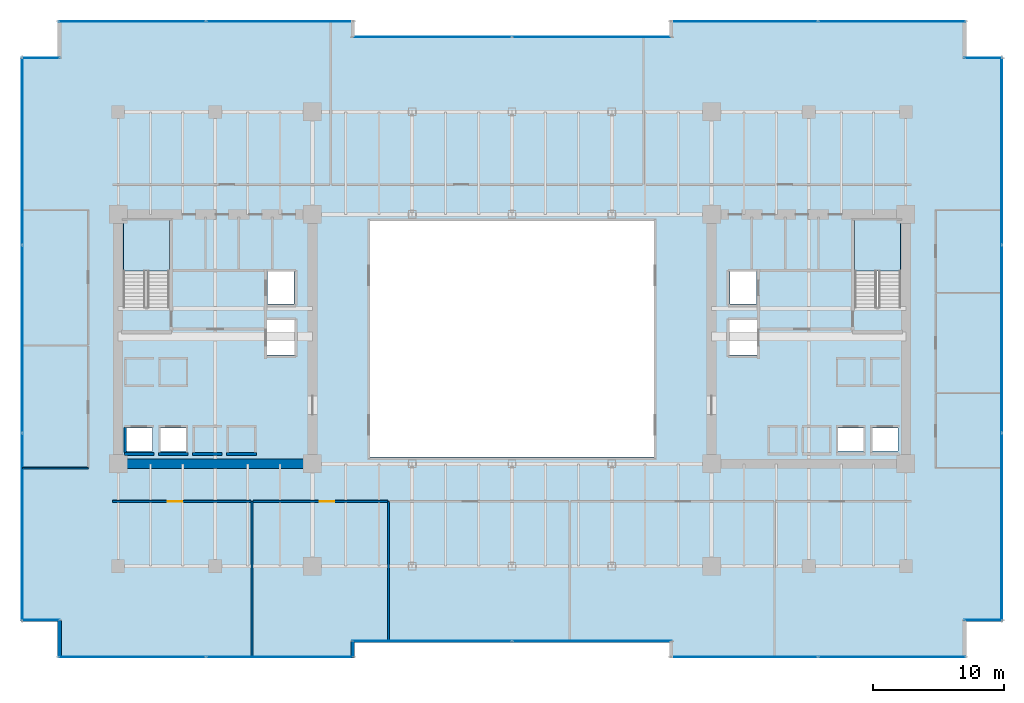
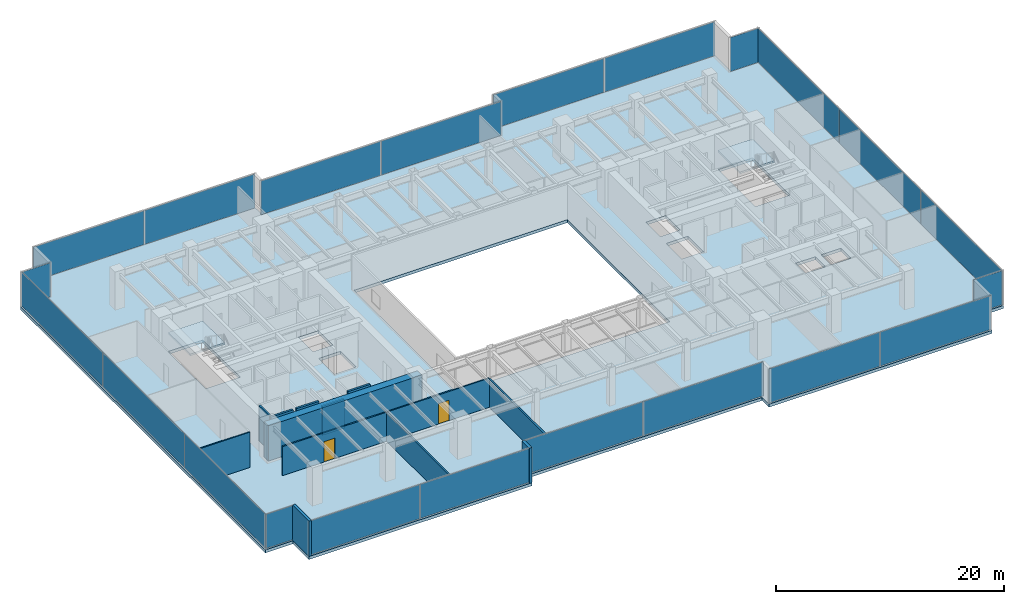
# One storey, part 28 of 35: 22 plates, 13 walls, 3 slabs, 2 doors, 2 openings, 14 elements without a shape of their own.
"""IFC4 building model written with IfcOpenShell, lengths in metres."""

from ifc_helpers import new_model, si_unit, direction, frame, frame_2d, origin, origin_2d, place, context, subcontext, project, spatial, polyline, rectangle, outline, extrude, source, transform, mapped, material, layer, layer_set, type_object, type_shapes, element, fill, aggregate, save


model = new_model("IFC4")

# Units and contexts
model_context = context("Model", 3, precision=1e-05, world=origin(), true_north=direction((0.0, 1.0)))
body_context = subcontext(model_context, "Body", "Model", "MODEL_VIEW")
ifc_project = project(units=[si_unit("LENGTHUNIT", "METRE"), si_unit("AREAUNIT", "SQUARE_METRE"), si_unit("VOLUMEUNIT", "CUBIC_METRE"), si_unit("PLANEANGLEUNIT", "RADIAN"), si_unit("MASSUNIT", "GRAM", prefix="KILO")], contexts=[model_context])

# Site, building, storey
site_placement = place(None, origin())
site = spatial("IfcSite", under=ifc_project, at=site_placement, CompositionType="ELEMENT")
building_placement = place(site_placement, origin())
building = spatial("IfcBuilding", under=site, at=building_placement, Name="Haelvirn Gate Laboratories", CompositionType="ELEMENT")
storey_placement = place(building_placement, frame((0.0, 0.0, 82.60009765625)))
storey = spatial("IfcBuildingStorey", under=building, at=storey_placement, Name="L20", CompositionType="ELEMENT", Elevation=82.60009765625)

# Stair, slab
ifc_material_1 = material(Name="Concrete C40/50", Category="concrete")
stair_type = type_object("IfcStairType", Name="ST-DOG-1650-R22", PredefinedType="HALF_TURN_STAIR", material=ifc_material_1)
stair_1_placement = place(storey_placement, origin())
stair_1 = element("IfcStair", 1, at=stair_1_placement, inside=storey, type_object=stair_type, Name="L20 Escape Stair ST1", PredefinedType="HALF_TURN_STAIR")
ifc_layer_1 = layer(ifc_material_1, 0.199951171875, Name="SL-STAIR-LND")
ifc_layer_set_1 = layer_set([ifc_layer_1], Name="Concrete C40/50")
slab_type_1 = type_object("IfcSlabType", Name="SL-STAIR-LND", PredefinedType="LANDING", material=ifc_layer_set_1)
slab_1_placement = place(storey_placement, frame((0.0, 0.0, 1.849853515625)))
slab_1 = element("IfcSlab", 2, at=slab_1_placement, type_object=slab_type_1, Name="ST1 landing 1", PredefinedType="LANDING", context=body_context, shape_type="SweptSolid", body=[
    extrude(outline(polyline([(11.300048828125, 29.5), (11.300048828125, 33.35009765625), (7.800048828125, 33.35009765625), (7.800048828125, 29.5), (11.300048828125, 29.5)])), origin(), (0.0, 0.0, 1.0), 0.199951171875),
])
aggregate(stair_1, [slab_1])

stair_2_placement = place(storey_placement, origin())
stair_2 = element("IfcStair", 3, at=stair_2_placement, inside=storey, type_object=stair_type, Name="L20 Escape Stair ST2", PredefinedType="HALF_TURN_STAIR")
slab_2_placement = place(storey_placement, frame((0.0, 0.0, 1.849853515625)))
slab_2 = element("IfcSlab", 4, at=slab_2_placement, type_object=slab_type_1, Name="ST2 landing 1", PredefinedType="LANDING", context=body_context, shape_type="SweptSolid", body=[
    extrude(outline(polyline([(67.0, 29.5), (67.0, 33.35009765625), (63.5, 33.35009765625), (63.5, 29.5), (67.0, 29.5)])), origin(), (0.0, 0.0, 1.0), 0.199951171875),
])
aggregate(stair_2, [slab_2])

# Slab
ifc_material_2 = material(Name="Concrete C50/60", Category="concrete")
ifc_layer_2 = layer(ifc_material_2, 0.320068359375, Name="SL-Z1-320")
ifc_layer_set_2 = layer_set([ifc_layer_2], Name="Concrete C50/60")
slab_type_2 = type_object("IfcSlabType", Name="SL-Z1-320", PredefinedType="FLOOR", material=ifc_layer_set_2)
slab_3_placement = place(storey_placement, frame((0.0, 0.0, -0.320068359375)))
element("IfcSlab", 5, at=slab_3_placement, inside=storey, type_object=slab_type_2, Name="L20 Structural Slab MAIN", PredefinedType="FLOOR", context=body_context, shape_type="SweptSolid", body=[
    extrude(outline(polyline([(2.800048828125, 0.0), (25.39990234375, 0.0), (25.39990234375, 1.199951171875), (49.39990234375, 1.199951171875), (49.39990234375, 0.0), (72.0, 0.0), (72.0, 2.800048828125), (74.800048828125, 2.800048828125), (74.800048828125, 45.800048828125), (72.0, 45.800048828125), (72.0, 48.60009765625), (49.39990234375, 48.60009765625), (49.39990234375, 47.39990234375), (25.39990234375, 47.39990234375), (25.39990234375, 48.60009765625), (2.800048828125, 48.60009765625), (2.800048828125, 45.800048828125), (0.0, 45.800048828125), (0.0, 2.800048828125), (2.800048828125, 2.800048828125), (2.800048828125, 0.0)]), holes=[polyline([(26.60009765625, 15.300048828125), (48.199951171875, 15.300048828125), (48.199951171875, 33.300048828125), (26.60009765625, 33.300048828125), (26.60009765625, 15.300048828125)]), polyline([(11.300048828125, 26.780029296875), (11.300048828125, 33.35009765625), (7.800048828125, 33.35009765625), (7.800048828125, 26.780029296875), (11.300048828125, 26.780029296875)]), polyline([(67.0, 26.780029296875), (67.0, 33.35009765625), (63.5, 33.35009765625), (63.5, 26.780029296875), (67.0, 26.780029296875)]), polyline([(7.989990234375, 15.77001953125), (10.010009765625, 15.77001953125), (10.010009765625, 17.510009765625), (7.989990234375, 17.510009765625), (7.989990234375, 15.77001953125)]), polyline([(10.590087890625, 15.77001953125), (12.610107421875, 15.77001953125), (12.610107421875, 17.510009765625), (10.590087890625, 17.510009765625), (10.590087890625, 15.77001953125)]), polyline([(18.7900390625, 26.969970703125), (20.81005859375, 26.969970703125), (20.81005859375, 29.510009765625), (18.7900390625, 29.510009765625), (18.7900390625, 26.969970703125)]), polyline([(18.68994140625, 23.070068359375), (20.909912109375, 23.070068359375), (20.909912109375, 25.81005859375), (18.68994140625, 25.81005859375), (18.68994140625, 23.070068359375)]), polyline([(64.7900390625, 15.77001953125), (66.81005859375, 15.77001953125), (66.81005859375, 17.510009765625), (64.7900390625, 17.510009765625), (64.7900390625, 15.77001953125)]), polyline([(62.18994140625, 15.77001953125), (64.2099609375, 15.77001953125), (64.2099609375, 17.510009765625), (62.18994140625, 17.510009765625), (62.18994140625, 15.77001953125)]), polyline([(53.989990234375, 26.969970703125), (56.010009765625, 26.969970703125), (56.010009765625, 29.510009765625), (53.989990234375, 29.510009765625), (53.989990234375, 26.969970703125)]), polyline([(53.889892578125, 23.070068359375), (56.110107421875, 23.070068359375), (56.110107421875, 25.81005859375), (53.889892578125, 25.81005859375), (53.889892578125, 23.070068359375)])]), origin(), (0.0, 0.0, 1.0), 0.320068359375),
])

# Curtain wall, plates
ifc_material_3 = material(Name="Anodised bronze unitised aluminium & triple low-E glass", Category="aluminium")
ifc_layer_3 = layer(ifc_material_3, 0.18408203125, Name="CW-SYS-2")
ifc_layer_set_3 = layer_set([ifc_layer_3], Name="Anodised bronze unitised aluminium & triple low-E glass")
curtain_wall_type_1 = type_object("IfcCurtainWallType", Name="CW-SYS-2", PredefinedType="NOTDEFINED", material=ifc_layer_set_3)
curtain_wall_1_placement = place(storey_placement, origin())
curtain_wall_1 = element("IfcCurtainWall", 6, at=curtain_wall_1_placement, inside=storey, type_object=curtain_wall_type_1, Name="L20 Unitised Curtain Wall CW-L20-P0-E02-1", PredefinedType="NOTDEFINED")
ifc_material_4 = material(Name="Bronze solar-control triple low-E IGU 44 mm", Category="glass")
ifc_layer_4 = layer(ifc_material_4, 0.0439453125, Name="CWP-IGU-44")
ifc_layer_set_4 = layer_set([ifc_layer_4], Name="Bronze solar-control triple low-E IGU 44 mm")
plate_type_1 = type_object("IfcPlateType", Name="CWP-IGU-44", PredefinedType="CURTAIN_PANEL", material=ifc_layer_set_4)
shared_shape_1 = source(origin(), body_context, "Body", "SweptSolid", [
    extrude(rectangle(XDim=12.12744140625, YDim=0.0439453125, at=origin_2d()), origin(), (0.0, 0.0, 1.0), 3.639892578125),
])
plate_1_placement = place(storey_placement, frame((31.298828125, 1.300048828125, 0.06982421875), z_axis=(0.0, 0.0, 1.0), x_axis=(1.0, 0.0, 0.0)))
plate_1 = element("IfcPlate", 7, at=plate_1_placement, type_object=plate_type_1, Name="CW2 panel 1.1", PredefinedType="CURTAIN_PANEL", context=body_context, shape_type="MappedRepresentation", body=[
    mapped(shared_shape_1, transform((0.0, 0.0, 0.0), scale=1.0)),
])
plate_2_placement = place(storey_placement, frame((43.501220703125, 1.300048828125, 0.06982421875), z_axis=(0.0, 0.0, 1.0), x_axis=(1.0, 0.0, 0.0)))
plate_2 = element("IfcPlate", 8, at=plate_2_placement, type_object=plate_type_1, Name="CW2 panel 2.1", PredefinedType="CURTAIN_PANEL", context=body_context, shape_type="MappedRepresentation", body=[
    mapped(shared_shape_1, transform((0.0, 0.0, 0.0), scale=1.0)),
])
aggregate(curtain_wall_1, [plate_1, plate_2])

curtain_wall_2_placement = place(storey_placement, origin())
curtain_wall_2 = element("IfcCurtainWall", 9, at=curtain_wall_2_placement, inside=storey, type_object=curtain_wall_type_1, Name="L20 Unitised Curtain Wall CW-L20-P0-E12-1", PredefinedType="NOTDEFINED")
plate_3_placement = place(storey_placement, frame((31.298828125, 47.300048828125, 0.06982421875), z_axis=(0.0, 0.0, 1.0), x_axis=(1.0, 0.0, 0.0)))
plate_3 = element("IfcPlate", 10, at=plate_3_placement, type_object=plate_type_1, Name="CW2 panel 1.1", PredefinedType="CURTAIN_PANEL", context=body_context, shape_type="MappedRepresentation", body=[
    mapped(shared_shape_1, transform((0.0, 0.0, 0.0), scale=1.0)),
])
plate_4_placement = place(storey_placement, frame((43.501220703125, 47.300048828125, 0.06982421875), z_axis=(0.0, 0.0, 1.0), x_axis=(1.0, 0.0, 0.0)))
plate_4 = element("IfcPlate", 11, at=plate_4_placement, type_object=plate_type_1, Name="CW2 panel 2.1", PredefinedType="CURTAIN_PANEL", context=body_context, shape_type="MappedRepresentation", body=[
    mapped(shared_shape_1, transform((0.0, 0.0, 0.0), scale=1.0)),
])
aggregate(curtain_wall_2, [plate_3, plate_4])

curtain_wall_3_placement = place(storey_placement, origin())
curtain_wall_3 = element("IfcCurtainWall", 12, at=curtain_wall_3_placement, inside=storey, type_object=curtain_wall_type_1, Name="L20 Unitised Curtain Wall CW-L20-P0-E00-1", PredefinedType="NOTDEFINED")
shared_shape_2 = source(origin(), body_context, "Body", "SweptSolid", [
    extrude(rectangle(XDim=11.1875, YDim=0.0439453125, at=origin_2d()), origin(), (0.0, 0.0, 1.0), 3.639892578125),
])
plate_5_placement = place(storey_placement, frame((8.46875, 0.10009765625, 0.06982421875), z_axis=(0.0, 0.0, 1.0), x_axis=(1.0, 0.0, 0.0)))
plate_5 = element("IfcPlate", 13, at=plate_5_placement, type_object=plate_type_1, Name="CW2 panel 1.1", PredefinedType="CURTAIN_PANEL", context=body_context, shape_type="MappedRepresentation", body=[
    mapped(shared_shape_2, transform((0.0, 0.0, 0.0), scale=1.0)),
])
plate_6_placement = place(storey_placement, frame((19.731201171875, 0.10009765625, 0.06982421875), z_axis=(0.0, 0.0, 1.0), x_axis=(1.0, 0.0, 0.0)))
plate_6 = element("IfcPlate", 14, at=plate_6_placement, type_object=plate_type_1, Name="CW2 panel 2.1", PredefinedType="CURTAIN_PANEL", context=body_context, shape_type="MappedRepresentation", body=[
    mapped(shared_shape_2, transform((0.0, 0.0, 0.0), scale=1.0)),
])
aggregate(curtain_wall_3, [plate_5, plate_6])

curtain_wall_4_placement = place(storey_placement, origin())
curtain_wall_4 = element("IfcCurtainWall", 15, at=curtain_wall_4_placement, inside=storey, type_object=curtain_wall_type_1, Name="L20 Unitised Curtain Wall CW-L20-P0-E04-1", PredefinedType="NOTDEFINED")
plate_7_placement = place(storey_placement, frame((55.06884765625, 0.10009765625, 0.06982421875), z_axis=(0.0, 0.0, 1.0), x_axis=(1.0, 0.0, 0.0)))
plate_7 = element("IfcPlate", 16, at=plate_7_placement, type_object=plate_type_1, Name="CW2 panel 1.1", PredefinedType="CURTAIN_PANEL", context=body_context, shape_type="MappedRepresentation", body=[
    mapped(shared_shape_2, transform((0.0, 0.0, 0.0), scale=1.0)),
])
plate_8_placement = place(storey_placement, frame((66.331298828125, 0.10009765625, 0.06982421875), z_axis=(0.0, 0.0, 1.0), x_axis=(1.0, 0.0, 0.0)))
plate_8 = element("IfcPlate", 17, at=plate_8_placement, type_object=plate_type_1, Name="CW2 panel 2.1", PredefinedType="CURTAIN_PANEL", context=body_context, shape_type="MappedRepresentation", body=[
    mapped(shared_shape_2, transform((0.0, 0.0, 0.0), scale=1.0)),
])
aggregate(curtain_wall_4, [plate_7, plate_8])

curtain_wall_5_placement = place(storey_placement, origin())
curtain_wall_5 = element("IfcCurtainWall", 18, at=curtain_wall_5_placement, inside=storey, type_object=curtain_wall_type_1, Name="L20 Unitised Curtain Wall CW-L20-P0-E10-1", PredefinedType="NOTDEFINED")
plate_9_placement = place(storey_placement, frame((55.06884765625, 48.5, 0.06982421875), z_axis=(0.0, 0.0, 1.0), x_axis=(1.0, 0.0, 0.0)))
plate_9 = element("IfcPlate", 19, at=plate_9_placement, type_object=plate_type_1, Name="CW2 panel 1.1", PredefinedType="CURTAIN_PANEL", context=body_context, shape_type="MappedRepresentation", body=[
    mapped(shared_shape_2, transform((0.0, 0.0, 0.0), scale=1.0)),
])
plate_10_placement = place(storey_placement, frame((66.331298828125, 48.5, 0.06982421875), z_axis=(0.0, 0.0, 1.0), x_axis=(1.0, 0.0, 0.0)))
plate_10 = element("IfcPlate", 20, at=plate_10_placement, type_object=plate_type_1, Name="CW2 panel 2.1", PredefinedType="CURTAIN_PANEL", context=body_context, shape_type="MappedRepresentation", body=[
    mapped(shared_shape_2, transform((0.0, 0.0, 0.0), scale=1.0)),
])
aggregate(curtain_wall_5, [plate_9, plate_10])

curtain_wall_6_placement = place(storey_placement, origin())
curtain_wall_6 = element("IfcCurtainWall", 21, at=curtain_wall_6_placement, inside=storey, type_object=curtain_wall_type_1, Name="L20 Unitised Curtain Wall CW-L20-P0-E14-1", PredefinedType="NOTDEFINED")
plate_11_placement = place(storey_placement, frame((8.46875, 48.5, 0.06982421875), z_axis=(0.0, 0.0, 1.0), x_axis=(1.0, 0.0, 0.0)))
plate_11 = element("IfcPlate", 22, at=plate_11_placement, type_object=plate_type_1, Name="CW2 panel 1.1", PredefinedType="CURTAIN_PANEL", context=body_context, shape_type="MappedRepresentation", body=[
    mapped(shared_shape_2, transform((0.0, 0.0, 0.0), scale=1.0)),
])
plate_12_placement = place(storey_placement, frame((19.731201171875, 48.5, 0.06982421875), z_axis=(0.0, 0.0, 1.0), x_axis=(1.0, 0.0, 0.0)))
plate_12 = element("IfcPlate", 23, at=plate_12_placement, type_object=plate_type_1, Name="CW2 panel 2.1", PredefinedType="CURTAIN_PANEL", context=body_context, shape_type="MappedRepresentation", body=[
    mapped(shared_shape_2, transform((0.0, 0.0, 0.0), scale=1.0)),
])
aggregate(curtain_wall_6, [plate_11, plate_12])

# Curtain wall, plate
ifc_layer_5 = layer(ifc_material_3, 0.181884765625, Name="CW-SYS-5")
ifc_layer_set_5 = layer_set([ifc_layer_5], Name="Anodised bronze unitised aluminium & triple low-E glass")
curtain_wall_type_2 = type_object("IfcCurtainWallType", Name="CW-SYS-5", PredefinedType="NOTDEFINED", material=ifc_layer_set_5)
curtain_wall_7_placement = place(storey_placement, origin())
curtain_wall_7 = element("IfcCurtainWall", 24, at=curtain_wall_7_placement, inside=storey, type_object=curtain_wall_type_2, Name="L20 Unitised Curtain Wall CW-L20-P0-E06-1", PredefinedType="NOTDEFINED")
ifc_material_5 = material(Name="Clear low-iron notched-corner triple IGU 42 mm", Category="glass")
ifc_layer_6 = layer(ifc_material_5, 0.0419921875, Name="CWP-NTC-42")
ifc_layer_set_6 = layer_set([ifc_layer_6], Name="Clear low-iron notched-corner triple IGU 42 mm")
plate_type_2 = type_object("IfcPlateType", Name="CWP-NTC-42", PredefinedType="CURTAIN_PANEL", material=ifc_layer_set_6)
shared_shape_3 = source(origin(), body_context, "Body", "SweptSolid", [
    extrude(rectangle(XDim=2.8798828125, YDim=0.0419921875, at=origin_2d()), origin(), (0.0, 0.0, 1.0), 3.64990234375),
])
type_shapes(plate_type_2, [shared_shape_3])
plate_13_placement = place(storey_placement, frame((73.280029296875, 2.89990234375, 0.06494140625), z_axis=(0.0, 0.0, 1.0), x_axis=(1.0, 0.0, 0.0)))
plate_13 = element("IfcPlate", 25, at=plate_13_placement, type_object=plate_type_2, Name="CW5 panel 1.1", PredefinedType="CURTAIN_PANEL", context=body_context, shape_type="MappedRepresentation", body=[
    mapped(shared_shape_3, transform((0.0, 0.0, 0.0), scale=1.0)),
])
aggregate(curtain_wall_7, [plate_13])

curtain_wall_8_placement = place(storey_placement, origin())
curtain_wall_8 = element("IfcCurtainWall", 26, at=curtain_wall_8_placement, inside=storey, type_object=curtain_wall_type_2, Name="L20 Unitised Curtain Wall CW-L20-P0-E08-1", PredefinedType="NOTDEFINED")
plate_14_placement = place(storey_placement, frame((73.280029296875, 45.699951171875, 0.06494140625), z_axis=(0.0, 0.0, 1.0), x_axis=(1.0, 0.0, 0.0)))
plate_14 = element("IfcPlate", 27, at=plate_14_placement, type_object=plate_type_2, Name="CW5 panel 1.1", PredefinedType="CURTAIN_PANEL", context=body_context, shape_type="MappedRepresentation", body=[
    mapped(shared_shape_3, transform((0.0, 0.0, 0.0), scale=1.0)),
])
aggregate(curtain_wall_8, [plate_14])

curtain_wall_9_placement = place(storey_placement, origin())
curtain_wall_9 = element("IfcCurtainWall", 28, at=curtain_wall_9_placement, inside=storey, type_object=curtain_wall_type_2, Name="L20 Unitised Curtain Wall CW-L20-P0-E16-1", PredefinedType="NOTDEFINED")
plate_15_placement = place(storey_placement, frame((1.52001953125, 45.699951171875, 0.06494140625), z_axis=(0.0, 0.0, 1.0), x_axis=(1.0, 0.0, 0.0)))
plate_15 = element("IfcPlate", 29, at=plate_15_placement, type_object=plate_type_2, Name="CW5 panel 1.1", PredefinedType="CURTAIN_PANEL", context=body_context, shape_type="MappedRepresentation", body=[
    mapped(shared_shape_3, transform((0.0, 0.0, 0.0), scale=1.0)),
])
aggregate(curtain_wall_9, [plate_15])

curtain_wall_10_placement = place(storey_placement, origin())
curtain_wall_10 = element("IfcCurtainWall", 30, at=curtain_wall_10_placement, inside=storey, type_object=curtain_wall_type_2, Name="L20 Unitised Curtain Wall CW-L20-P0-E18-1", PredefinedType="NOTDEFINED")
plate_16_placement = place(storey_placement, frame((1.52001953125, 2.89990234375, 0.06494140625), z_axis=(0.0, 0.0, 1.0), x_axis=(1.0, 0.0, 0.0)))
plate_16 = element("IfcPlate", 31, at=plate_16_placement, type_object=plate_type_2, Name="CW5 panel 1.1", PredefinedType="CURTAIN_PANEL", context=body_context, shape_type="MappedRepresentation", body=[
    mapped(shared_shape_3, transform((0.0, 0.0, 0.0), scale=1.0)),
])
aggregate(curtain_wall_10, [plate_16])

# Curtain wall, plates
curtain_wall_11_placement = place(storey_placement, origin())
curtain_wall_11 = element("IfcCurtainWall", 32, at=curtain_wall_11_placement, inside=storey, type_object=curtain_wall_type_1, Name="L20 Unitised Curtain Wall CW-L20-P0-E07", PredefinedType="NOTDEFINED")
shared_shape_4 = source(origin(), body_context, "Body", "SweptSolid", [
    extrude(rectangle(XDim=14.220947265625, YDim=0.0439453125, at=origin_2d()), origin(), (0.0, 0.0, 1.0), 3.639892578125),
])
plate_17_placement = place(storey_placement, frame((74.699951171875, 9.9853515625, 0.06982421875), z_axis=(0.0, 0.0, 1.0), x_axis=(0.0, 1.0, 0.0)))
plate_17 = element("IfcPlate", 33, at=plate_17_placement, type_object=plate_type_1, Name="CW2 panel 1.1", PredefinedType="CURTAIN_PANEL", context=body_context, shape_type="MappedRepresentation", body=[
    mapped(shared_shape_4, transform((0.0, 0.0, 0.0), scale=1.0)),
])
plate_18_placement = place(storey_placement, frame((74.699951171875, 38.614501953125, 0.06982421875), z_axis=(0.0, 0.0, 1.0), x_axis=(0.0, 1.0, 0.0)))
plate_18 = element("IfcPlate", 34, at=plate_18_placement, type_object=plate_type_1, Name="CW2 panel 3.1", PredefinedType="CURTAIN_PANEL", context=body_context, shape_type="MappedRepresentation", body=[
    mapped(shared_shape_4, transform((0.0, 0.0, 0.0), scale=1.0)),
])

curtain_wall_12_placement = place(storey_placement, origin())
curtain_wall_12 = element("IfcCurtainWall", 35, at=curtain_wall_12_placement, inside=storey, type_object=curtain_wall_type_1, Name="L20 Unitised Curtain Wall CW-L20-P0-E17", PredefinedType="NOTDEFINED")
plate_19_placement = place(storey_placement, frame((0.10009765625, 38.614501953125, 0.06982421875), z_axis=(0.0, 0.0, 1.0), x_axis=(0.0, -1.0, 0.0)))
plate_19 = element("IfcPlate", 36, at=plate_19_placement, type_object=plate_type_1, Name="CW2 panel 1.1", PredefinedType="CURTAIN_PANEL", context=body_context, shape_type="MappedRepresentation", body=[
    mapped(shared_shape_4, transform((0.0, 0.0, 0.0), scale=1.0)),
])
plate_20_placement = place(storey_placement, frame((0.10009765625, 9.9853515625, 0.06982421875), z_axis=(0.0, 0.0, 1.0), x_axis=(0.0, -1.0, 0.0)))
plate_20 = element("IfcPlate", 37, at=plate_20_placement, type_object=plate_type_1, Name="CW2 panel 3.1", PredefinedType="CURTAIN_PANEL", context=body_context, shape_type="MappedRepresentation", body=[
    mapped(shared_shape_4, transform((0.0, 0.0, 0.0), scale=1.0)),
])

# Plate
shared_shape_5 = source(origin(), body_context, "Body", "SweptSolid", [
    extrude(rectangle(XDim=14.25830078125, YDim=0.0439453125, at=origin_2d()), origin(), (0.0, 0.0, 1.0), 3.639892578125),
])
type_shapes(plate_type_1, [shared_shape_1, shared_shape_2, shared_shape_4, shared_shape_5])
plate_21_placement = place(storey_placement, frame((74.699951171875, 24.300048828125, 0.06982421875), z_axis=(0.0, 0.0, 1.0), x_axis=(0.0, 1.0, 0.0)))
plate_21 = element("IfcPlate", 38, at=plate_21_placement, type_object=plate_type_1, Name="CW2 panel 2.1", PredefinedType="CURTAIN_PANEL", context=body_context, shape_type="MappedRepresentation", body=[
    mapped(shared_shape_5, transform((0.0, 0.0, 0.0), scale=1.0)),
])

aggregate(curtain_wall_11, [plate_17, plate_21, plate_18])

plate_22_placement = place(storey_placement, frame((0.10009765625, 24.300048828125, 0.06982421875), z_axis=(0.0, 0.0, 1.0), x_axis=(0.0, -1.0, 0.0)))
plate_22 = element("IfcPlate", 39, at=plate_22_placement, type_object=plate_type_1, Name="CW2 panel 2.1", PredefinedType="CURTAIN_PANEL", context=body_context, shape_type="MappedRepresentation", body=[
    mapped(shared_shape_5, transform((0.0, 0.0, 0.0), scale=1.0)),
])

aggregate(curtain_wall_12, [plate_19, plate_22, plate_20])

# Walls
ifc_material_6 = material(Name="Thermally-broken bronze aluminium rainscreen & mineral wool", Category="aluminium")
ifc_layer_7 = layer(ifc_material_6, 0.280029296875, Name="EW-TERR-280")
ifc_layer_set_7 = layer_set([ifc_layer_7], Name="Thermally-broken bronze aluminium rainscreen & mineral wool")
wall_type_1 = type_object("IfcWallType", Name="EW-TERR-280", PredefinedType="STANDARD", material=ifc_layer_set_7)
wall_1_placement = place(storey_placement, frame((25.260009765625, 0.0, 0.0), z_axis=(0.0, 0.0, 1.0), x_axis=(0.0, 1.0, 0.0)))
element("IfcWall", 40, at=wall_1_placement, inside=storey, type_object=wall_type_1, Name="L20 Atrium Recess Bronze Return Wall 01", PredefinedType="STANDARD", context=body_context, shape_type="SweptSolid", body=[
    extrude(rectangle(XDim=1.2880859375, YDim=0.280029296875, at=frame_2d((0.64404296875, 0.0))), origin(), (0.0, 0.0, 1.0), 3.77978515625),
])
wall_2_placement = place(storey_placement, frame((2.93994140625, 2.887939453125, 0.0), z_axis=(0.0, 0.0, 1.0), x_axis=(0.0, -1.0, 0.0)))
element("IfcWall", 41, at=wall_2_placement, inside=storey, type_object=wall_type_1, Name="L20 Atrium Recess Bronze Return Wall 19", PredefinedType="STANDARD", context=body_context, shape_type="SweptSolid", body=[
    extrude(rectangle(XDim=2.887939453125, YDim=0.280029296875, at=frame_2d((1.44384765625, 0.0))), origin(), (0.0, 0.0, 1.0), 3.77978515625),
])
ifc_material_7 = material(Name="Double-layer acoustic gypsum laboratory partition", Category="gypsum")
ifc_layer_8 = layer(ifc_material_7, 0.159912109375, Name="IW-ACOUST-160")
ifc_layer_set_8 = layer_set([ifc_layer_8], Name="Double-layer acoustic gypsum laboratory partition")
wall_type_2 = type_object("IfcWallType", Name="IW-ACOUST-160", PredefinedType="PARTITIONING", material=ifc_layer_set_8)
wall_3_placement = place(storey_placement, frame((17.60009765625, 0.110107421875, 0.0), z_axis=(0.0, 0.0, 1.0), x_axis=(0.0, 1.0, 0.0)))
element("IfcWall", 42, at=wall_3_placement, inside=storey, type_object=wall_type_2, Name="L20 Interior Wall IW-L20-SDIV-01", PredefinedType="PARTITIONING", context=body_context, shape_type="SweptSolid", body=[
    extrude(rectangle(XDim=11.829833984375, YDim=0.159912109375, at=frame_2d((5.9150390625, 0.0))), origin(), (0.0, 0.0, 1.0), 3.014892578125),
])
wall_4_placement = place(storey_placement, frame((28.0, 1.31005859375, 0.0), z_axis=(0.0, 0.0, 1.0), x_axis=(0.0, 1.0, 0.0)))
element("IfcWall", 43, at=wall_4_placement, inside=storey, type_object=wall_type_2, Name="L20 Interior Wall IW-L20-SDIV-02", PredefinedType="PARTITIONING", context=body_context, shape_type="SweptSolid", body=[
    extrude(rectangle(XDim=10.6298828125, YDim=0.159912109375, at=frame_2d((5.31494140625, 0.0))), origin(), (0.0, 0.0, 1.0), 3.014892578125),
])
ifc_material_8 = material(Name="Lightweight acoustic gypsum board partition", Category="gypsum")
ifc_layer_9 = layer(ifc_material_8, 0.1201171875, Name="IW-PART-120")
ifc_layer_set_9 = layer_set([ifc_layer_9], Name="Lightweight acoustic gypsum board partition")
wall_type_3 = type_object("IfcWallType", Name="IW-PART-120", PredefinedType="PARTITIONING", material=ifc_layer_set_9)
wall_5_placement = place(storey_placement, frame((0.110107421875, 14.465087890625, 0.0), z_axis=(0.0, 0.0, 1.0), x_axis=(1.0, 0.0, 0.0)))
element("IfcWall", 44, at=wall_5_placement, inside=storey, type_object=wall_type_3, Name="L20 Interior Wall IW-L20-WCAP-S", PredefinedType="PARTITIONING", context=body_context, shape_type="SweptSolid", body=[
    extrude(rectangle(XDim=5.019775390625, YDim=0.1201171875, at=frame_2d((2.509765625, 0.0))), origin(), (0.0, 0.0, 1.0), 3.77978515625),
])

# Wall, opening, door
ifc_material_9 = material(Name="Acoustic mineral-wool gypsum board partition", Category="gypsum")
ifc_layer_10 = layer(ifc_material_9, 0.139892578125, Name="IW-PART-140")
ifc_layer_set_10 = layer_set([ifc_layer_10], Name="Acoustic mineral-wool gypsum board partition")
wall_type_4 = type_object("IfcWallType", Name="IW-PART-140", PredefinedType="PARTITIONING", material=ifc_layer_set_10)
wall_6_placement = place(storey_placement, frame((6.97998046875, 11.93994140625, 0.0), z_axis=(0.0, 0.0, 1.0), x_axis=(1.0, 0.0, 0.0)))
wall_6 = element("IfcWall", 45, at=wall_6_placement, inside=storey, type_object=wall_type_4, Name="L20 Interior Wall IW-L20-SCORR-01", PredefinedType="PARTITIONING", context=body_context, shape_type="SweptSolid", body=[
    extrude(rectangle(XDim=10.5400390625, YDim=0.139892578125, at=frame_2d((5.27001953125, 0.0))), origin(), (0.0, 0.0, 1.0), 3.114990234375),
])
opening_1_placement = place(wall_6_placement, frame((4.195556640625, 0.0, 0.0)))
opening_1 = element("IfcOpeningElement", 46, at=opening_1_placement, cuts=wall_6, Name="Opening D1", PredefinedType="OPENING", context=body_context, shape_type="SweptSolid", body=[
    extrude(rectangle(XDim=1.10009765625, YDim=2.179931640625, at=frame_2d((0.550048828125, 1.08984375))), frame((0.0, 0.080078125, 0.0), z_axis=(0.0, -1.0, 0.0), x_axis=(1.0, 0.0, 0.0)), (0.0, 0.0, 1.0), 0.159912109375),
])
ifc_material_10 = material(Name="Vision-panel acoustic solid-core timber lab door", Category="wood")
door_type = type_object("IfcDoorType", Name="DR-LAB-1100", OperationType="NOTDEFINED", PredefinedType="DOOR", material=ifc_material_10)
shared_shape_6 = source(origin(), body_context, "Body", "SweptSolid", [
    extrude(rectangle(XDim=1.10009765625, YDim=2.179931640625, at=frame_2d((0.550048828125, 1.08984375))), frame((0.0, 0.02490234375, 0.0), z_axis=(0.0, -1.0, 0.0), x_axis=(1.0, 0.0, 0.0)), (0.0, 0.0, 1.0), 0.050048828125),
])
type_shapes(door_type, [shared_shape_6])
door_1_placement = place(opening_1_placement, origin())
door_1 = element("IfcDoor", 47, at=door_1_placement, inside=storey, type_object=door_type, Name="L20 Bioinformatics Dry-Lab Workspace Door S1", OperationType="SINGLE_SWING_LEFT", OverallHeight=2.179931640625, OverallWidth=1.10009765625, PredefinedType="DOOR", context=body_context, shape_type="MappedRepresentation", body=[
    mapped(shared_shape_6, transform((0.0, 0.0, 0.0), scale=1.0)),
])
fill(opening_1, door_1)

wall_7_placement = place(storey_placement, frame((17.679931640625, 11.93994140625, 0.0), z_axis=(0.0, 0.0, 1.0), x_axis=(1.0, 0.0, 0.0)))
wall_7 = element("IfcWall", 48, at=wall_7_placement, inside=storey, type_object=wall_type_4, Name="L20 Interior Wall IW-L20-SCORR-02", PredefinedType="PARTITIONING", context=body_context, shape_type="SweptSolid", body=[
    extrude(rectangle(XDim=10.239990234375, YDim=0.139892578125, at=frame_2d((5.1201171875, 0.0))), origin(), (0.0, 0.0, 1.0), 3.114990234375),
])
opening_2_placement = place(wall_7_placement, frame((5.076416015625, 0.0, 0.0)))
opening_2 = element("IfcOpeningElement", 49, at=opening_2_placement, cuts=wall_7, Name="Opening D1", PredefinedType="OPENING", context=body_context, shape_type="SweptSolid", body=[
    extrude(rectangle(XDim=1.10009765625, YDim=2.179931640625, at=frame_2d((0.550048828125, 1.08984375))), frame((0.0, 0.080078125, 0.0), z_axis=(0.0, -1.0, 0.0), x_axis=(1.0, 0.0, 0.0)), (0.0, 0.0, 1.0), 0.159912109375),
])
door_2_placement = place(opening_2_placement, origin())
door_2 = element("IfcDoor", 50, at=door_2_placement, inside=storey, type_object=door_type, Name="L20 Translational Data Office Door S2", OperationType="SINGLE_SWING_RIGHT", OverallHeight=2.179931640625, OverallWidth=1.10009765625, PredefinedType="DOOR", context=body_context, shape_type="MappedRepresentation", body=[
    mapped(shared_shape_6, transform((0.0, 0.0, 0.0), scale=1.0)),
])
fill(opening_2, door_2)

# Walls
ifc_layer_11 = layer(ifc_material_1, 0.179931640625, Name="IW-SHAFT-180")
ifc_layer_set_11 = layer_set([ifc_layer_11], Name="Concrete C40/50")
wall_type_5 = type_object("IfcWallType", Name="IW-SHAFT-180", PredefinedType="SOLIDWALL", material=ifc_layer_set_11)
wall_8_placement = place(storey_placement, frame((7.949951171875, 15.64990234375, 0.0), z_axis=(0.0, 0.0, 1.0), x_axis=(0.0, 1.0, 0.0)))
element("IfcWall", 51, at=wall_8_placement, inside=storey, type_object=wall_type_5, Name="L20 Interior Wall IW-L20-PL1-SD", PredefinedType="SOLIDWALL", context=body_context, shape_type="SweptSolid", body=[
    extrude(rectangle(XDim=1.900146484375, YDim=0.179931640625, at=frame_2d((0.9501953125, 0.0))), origin(), (0.0, 0.0, 1.0), 3.77978515625),
])
ifc_layer_12 = layer(ifc_material_1, 0.199951171875, Name="IW-SHAFT-200")
ifc_layer_set_12 = layer_set([ifc_layer_12], Name="Concrete C40/50")
wall_type_6 = type_object("IfcWallType", Name="IW-SHAFT-200", PredefinedType="SOLIDWALL", material=ifc_layer_set_12)
wall_9_placement = place(storey_placement, frame((7.8701171875, 15.550048828125, 0.0), z_axis=(0.0, 0.0, 1.0), x_axis=(1.0, 0.0, 0.0)))
element("IfcWall", 52, at=wall_9_placement, inside=storey, type_object=wall_type_6, Name="L20 Interior Wall IW-L20-PL1-BK", PredefinedType="SOLIDWALL", context=body_context, shape_type="SweptSolid", body=[
    extrude(rectangle(XDim=2.259765625, YDim=0.199951171875, at=frame_2d((1.1298828125, 0.0))), origin(), (0.0, 0.0, 1.0), 3.77978515625),
])
wall_10_placement = place(storey_placement, frame((10.469970703125, 15.550048828125, 0.0), z_axis=(0.0, 0.0, 1.0), x_axis=(1.0, 0.0, 0.0)))
element("IfcWall", 53, at=wall_10_placement, inside=storey, type_object=wall_type_6, Name="L20 Interior Wall IW-L20-PL2-BK", PredefinedType="SOLIDWALL", context=body_context, shape_type="SweptSolid", body=[
    extrude(rectangle(XDim=2.260009765625, YDim=0.199951171875, at=frame_2d((1.1298828125, 0.0))), origin(), (0.0, 0.0, 1.0), 3.77978515625),
])
wall_11_placement = place(storey_placement, frame((13.070068359375, 15.550048828125, 0.0), z_axis=(0.0, 0.0, 1.0), x_axis=(1.0, 0.0, 0.0)))
element("IfcWall", 54, at=wall_11_placement, inside=storey, type_object=wall_type_6, Name="L20 Interior Wall IW-L20-PL5-BK", PredefinedType="SOLIDWALL", context=body_context, shape_type="SweptSolid", body=[
    extrude(rectangle(XDim=2.260009765625, YDim=0.199951171875, at=frame_2d((1.1298828125, 0.0))), origin(), (0.0, 0.0, 1.0), 3.114990234375),
])
wall_12_placement = place(storey_placement, frame((15.669921875, 15.550048828125, 0.0), z_axis=(0.0, 0.0, 1.0), x_axis=(1.0, 0.0, 0.0)))
element("IfcWall", 55, at=wall_12_placement, inside=storey, type_object=wall_type_6, Name="L20 Interior Wall IW-L20-PL6-BK", PredefinedType="SOLIDWALL", context=body_context, shape_type="SweptSolid", body=[
    extrude(rectangle(XDim=2.260009765625, YDim=0.199951171875, at=frame_2d((1.1298828125, 0.0))), origin(), (0.0, 0.0, 1.0), 3.77978515625),
])
ifc_material_11 = material(Name="Concrete C70/85", Category="concrete")
ifc_layer_13 = layer(ifc_material_11, 0.75, Name="SW-CORE-750")
ifc_layer_set_13 = layer_set([ifc_layer_13], Name="Concrete C70/85")
wall_type_7 = type_object("IfcWallType", Name="SW-CORE-750", PredefinedType="SHEAR", material=ifc_layer_set_13)
wall_13_placement = place(storey_placement, frame((7.02490234375, 14.800048828125, 0.0), z_axis=(0.0, 0.0, 1.0), x_axis=(1.0, 0.0, 0.0)))
element("IfcWall", 56, at=wall_13_placement, inside=storey, type_object=wall_type_7, Name="L20 W Core Shear Wall S", PredefinedType="SHEAR", context=body_context, shape_type="SweptSolid", body=[
    extrude(rectangle(XDim=15.550048828125, YDim=0.75, at=frame_2d((7.77490234375, 0.0))), origin(), (0.0, 0.0, 1.0), 3.77978515625),
])

save(model, "model.ifc")
